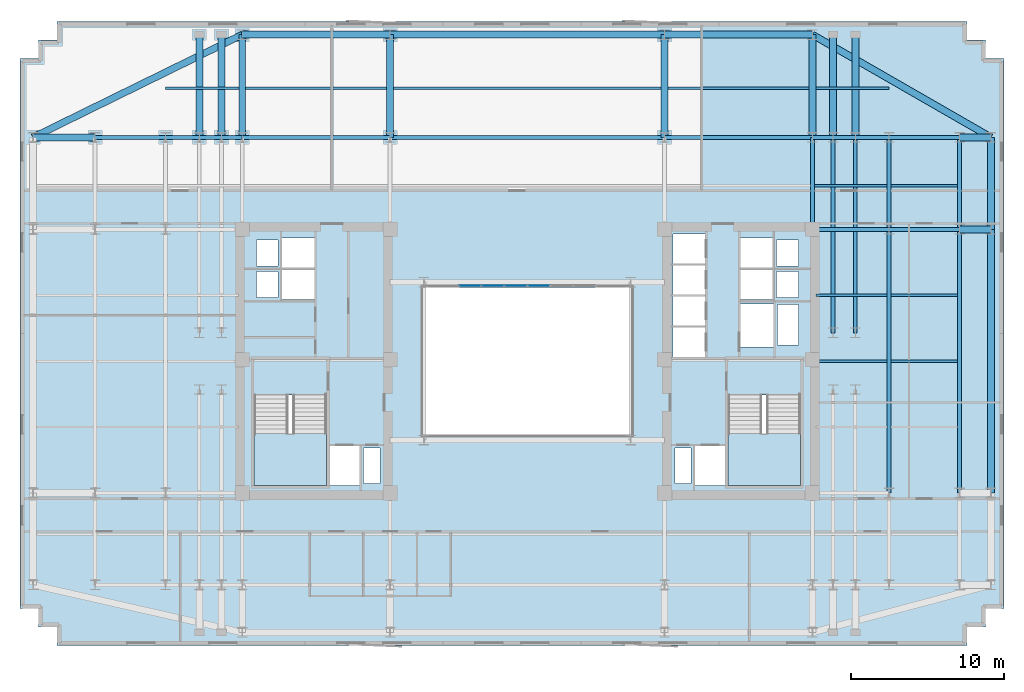
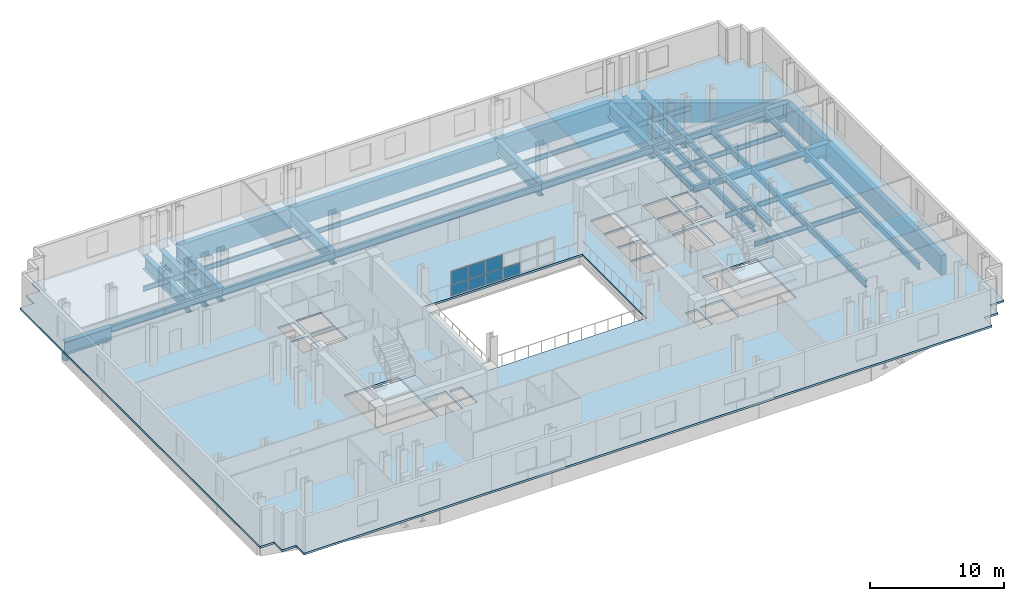
# One storey, part 5 of 12: 45 beams, 7 plates, 3 slabs, 3 elements without a shape of their own.
"""IFC4 building model written with IfcOpenShell, lengths in metres."""

from ifc_helpers import new_model, si_unit, direction, frame, origin, origin_2d, place, context, subcontext, project, spatial, polyline, rectangle, i_section, outline, extrude, material, layer, layer_set, material_profile, profile_set, type_object, element, aggregate, save


model = new_model("IFC4")

# Units and contexts
model_context = context("Model", 3, precision=1e-05, world=origin(), true_north=direction((0.0, 1.0)))
body_context = subcontext(model_context, "Body", "Model", "MODEL_VIEW")
ifc_project = project(units=[si_unit("LENGTHUNIT", "METRE"), si_unit("AREAUNIT", "SQUARE_METRE"), si_unit("VOLUMEUNIT", "CUBIC_METRE"), si_unit("PLANEANGLEUNIT", "RADIAN"), si_unit("MASSUNIT", "GRAM", prefix="KILO")], contexts=[model_context])

# Site, building, storey
site_placement = place(None, origin())
site = spatial("IfcSite", under=ifc_project, at=site_placement, CompositionType="ELEMENT")
building_placement = place(site_placement, origin())
building = spatial("IfcBuilding", under=site, at=building_placement, Name="Velakula Bourse", CompositionType="ELEMENT")
storey_placement = place(building_placement, frame((0.0, 0.0, 120.85009765625)))
storey = spatial("IfcBuildingStorey", under=building, at=storey_placement, Name="L32", CompositionType="ELEMENT", Elevation=120.85009765625)

# Beams
ifc_material_1 = material(Name="Steel IS 2062 Grade 350 (E350)", Category="steel")
ifc_material_profile_1 = material_profile(ifc_material_1, i_section(OverallWidth=0.25, OverallDepth=0.60009765625, WebThickness=0.01123046875, FlangeThickness=0.021240234375, at=origin_2d()), Name="Steel IS 2062 Grade 350 (E350)")
ifc_profile_set_1 = profile_set([ifc_material_profile_1], Name="Steel IS 2062 Grade 350 (E350)")
beam_type_1 = type_object("IfcBeamType", Name="BM-GRD-600M", PredefinedType="BEAM", material=ifc_profile_set_1)
beam_1_placement = place(storey_placement, frame((18.60009765625, 8.60009765625, -0.47998046875), z_axis=(0.0, 1.0, 0.0), x_axis=(-1.0, 0.0, 0.0)))
element("IfcBeam", 1, at=beam_1_placement, inside=storey, type_object=beam_type_1, Name="L32 Fulcrum Grid Girder FLC-EN", PredefinedType="BEAM", context=body_context, shape_type="SweptSolid", body=[
    extrude(i_section(OverallWidth=0.25, OverallDepth=0.60009765625, WebThickness=0.01123046875, FlangeThickness=0.021240234375, at=origin_2d()), origin(), (0.0, 0.0, 1.0), 6.0),
])
beam_2_placement = place(storey_placement, frame((-18.60009765625, 14.60009765625, -0.47998046875), z_axis=(1.0, 0.0, 0.0), x_axis=(0.0, 1.0, 0.0)))
element("IfcBeam", 2, at=beam_2_placement, inside=storey, type_object=beam_type_1, Name="L32 Fulcrum Grid Girder FLC-N1", PredefinedType="BEAM", context=body_context, shape_type="SweptSolid", body=[
    extrude(i_section(OverallWidth=0.25, OverallDepth=0.60009765625, WebThickness=0.01123046875, FlangeThickness=0.021240234375, at=origin_2d()), origin(), (0.0, 0.0, 1.0), 9.650146484375),
])
beam_3_placement = place(storey_placement, frame((-8.949951171875, 14.60009765625, -0.47998046875), z_axis=(1.0, 0.0, 0.0), x_axis=(0.0, 1.0, 0.0)))
element("IfcBeam", 3, at=beam_3_placement, inside=storey, type_object=beam_type_1, Name="L32 Fulcrum Grid Girder FLC-N2", PredefinedType="BEAM", context=body_context, shape_type="SweptSolid", body=[
    extrude(i_section(OverallWidth=0.25, OverallDepth=0.60009765625, WebThickness=0.01123046875, FlangeThickness=0.021240234375, at=origin_2d()), origin(), (0.0, 0.0, 1.0), 17.89990234375),
])
beam_4_placement = place(storey_placement, frame((8.949951171875, 14.60009765625, -0.47998046875), z_axis=(1.0, 0.0, 0.0), x_axis=(0.0, 1.0, 0.0)))
element("IfcBeam", 4, at=beam_4_placement, inside=storey, type_object=beam_type_1, Name="L32 Fulcrum Grid Girder FLC-N3", PredefinedType="BEAM", context=body_context, shape_type="SweptSolid", body=[
    extrude(i_section(OverallWidth=0.25, OverallDepth=0.60009765625, WebThickness=0.01123046875, FlangeThickness=0.021240234375, at=origin_2d()), origin(), (0.0, 0.0, 1.0), 9.650146484375),
])
for number, where, z_axis, x_axis, name in (
    (5, (19.949951171875, 1.85009765625, -0.47998046875), (0.0, 1.0, 0.0), (-1.0, 0.0, 0.0), "L32 Fulcrum Grid Girder FLC-PNE1"),
    (6, (21.39990234375, 1.85009765625, -0.47998046875), (0.0, 1.0, 0.0), (-1.0, 0.0, 0.0), "L32 Fulcrum Grid Girder FLC-PNE2"),
):
    element("IfcBeam", number, at=place(storey_placement, frame(where, z_axis=z_axis, x_axis=x_axis)), inside=storey, type_object=beam_type_1, Name=name, PredefinedType="BEAM", context=body_context, shape_type="SweptSolid", body=[
        extrude(i_section(OverallWidth=0.25, OverallDepth=0.60009765625, WebThickness=0.01123046875, FlangeThickness=0.021240234375, at=origin_2d()), origin(), (0.0, 0.0, 1.0), 12.75),
    ])
for number, where, z_axis, x_axis, name in (
    (7, (-23.60009765625, 14.60009765625, -0.47998046875), (1.0, 0.0, 0.0), (0.0, 1.0, 0.0), "L32 Fulcrum Grid Girder MWG-WN2"),
    (8, (18.60009765625, 8.60009765625, -0.47998046875), (1.0, 0.0, 0.0), (0.0, 1.0, 0.0), "L32 Fulcrum Grid Girder MWG-EN1"),
    (9, (18.60009765625, 14.60009765625, -0.47998046875), (1.0, 0.0, 0.0), (0.0, 1.0, 0.0), "L32 Fulcrum Grid Girder MWG-EN2"),
):
    element("IfcBeam", number, at=place(storey_placement, frame(where, z_axis=z_axis, x_axis=x_axis)), inside=storey, type_object=beam_type_1, Name=name, PredefinedType="BEAM", context=body_context, shape_type="SweptSolid", body=[
        extrude(i_section(OverallWidth=0.25, OverallDepth=0.60009765625, WebThickness=0.01123046875, FlangeThickness=0.021240234375, at=origin_2d()), origin(), (0.0, 0.0, 1.0), 5.0),
    ])
beam_5_placement = place(storey_placement, frame((23.60009765625, -8.60009765625, -0.47998046875), z_axis=(0.0, 1.0, 0.0), x_axis=(-1.0, 0.0, 0.0)))
element("IfcBeam", 10, at=beam_5_placement, inside=storey, type_object=beam_type_1, Name="L32 Fulcrum Grid Girder MWG-ENS2", PredefinedType="BEAM", context=body_context, shape_type="SweptSolid", body=[
    extrude(i_section(OverallWidth=0.25, OverallDepth=0.60009765625, WebThickness=0.01123046875, FlangeThickness=0.021240234375, at=origin_2d()), origin(), (0.0, 0.0, 1.0), 17.2001953125),
])
beam_6_placement = place(storey_placement, frame((23.60009765625, 8.60009765625, -0.47998046875), z_axis=(0.0, 1.0, 0.0), x_axis=(-1.0, 0.0, 0.0)))
element("IfcBeam", 11, at=beam_6_placement, inside=storey, type_object=beam_type_1, Name="L32 Fulcrum Grid Girder MWG-ENS3", PredefinedType="BEAM", context=body_context, shape_type="SweptSolid", body=[
    extrude(i_section(OverallWidth=0.25, OverallDepth=0.60009765625, WebThickness=0.01123046875, FlangeThickness=0.021240234375, at=origin_2d()), origin(), (0.0, 0.0, 1.0), 6.0),
])
for number, where, z_axis, x_axis, name in (
    (12, (-28.199951171875, 14.60009765625, -0.47998046875), (1.0, 0.0, 0.0), (0.0, 1.0, 0.0), "L32 Fulcrum Grid Girder WNG-WN2"),
    (13, (23.60009765625, 8.60009765625, -0.47998046875), (1.0, 0.0, 0.0), (0.0, 1.0, 0.0), "L32 Fulcrum Grid Girder WNG-EN1"),
    (14, (23.60009765625, 14.60009765625, -0.47998046875), (1.0, 0.0, 0.0), (0.0, 1.0, 0.0), "L32 Fulcrum Grid Girder WNG-EN2"),
):
    element("IfcBeam", number, at=place(storey_placement, frame(where, z_axis=z_axis, x_axis=x_axis)), inside=storey, type_object=beam_type_1, Name=name, PredefinedType="BEAM", context=body_context, shape_type="SweptSolid", body=[
        extrude(i_section(OverallWidth=0.25, OverallDepth=0.60009765625, WebThickness=0.01123046875, FlangeThickness=0.021240234375, at=origin_2d()), origin(), (0.0, 0.0, 1.0), 4.599853515625),
    ])
beam_7_placement = place(storey_placement, frame((28.199951171875, -8.60009765625, -0.47998046875), z_axis=(0.0, 1.0, 0.0), x_axis=(-1.0, 0.0, 0.0)))
element("IfcBeam", 15, at=beam_7_placement, inside=storey, type_object=beam_type_1, Name="L32 Fulcrum Grid Girder WNG-ENS2", PredefinedType="BEAM", context=body_context, shape_type="SweptSolid", body=[
    extrude(i_section(OverallWidth=0.25, OverallDepth=0.60009765625, WebThickness=0.01123046875, FlangeThickness=0.021240234375, at=origin_2d()), origin(), (0.0, 0.0, 1.0), 17.2001953125),
])
beam_8_placement = place(storey_placement, frame((28.199951171875, 8.60009765625, -0.47998046875), z_axis=(0.0, 1.0, 0.0), x_axis=(-1.0, 0.0, 0.0)))
element("IfcBeam", 16, at=beam_8_placement, inside=storey, type_object=beam_type_1, Name="L32 Fulcrum Grid Girder WNG-ENS3", PredefinedType="BEAM", context=body_context, shape_type="SweptSolid", body=[
    extrude(i_section(OverallWidth=0.25, OverallDepth=0.60009765625, WebThickness=0.01123046875, FlangeThickness=0.021240234375, at=origin_2d()), origin(), (0.0, 0.0, 1.0), 6.0),
])
ifc_material_profile_2 = material_profile(ifc_material_1, i_section(OverallWidth=0.14990234375, OverallDepth=0.449951171875, WebThickness=0.009521484375, FlangeThickness=0.017333984375, at=origin_2d()), Name="Steel IS 2062 Grade 350 (E350)")
ifc_profile_set_2 = profile_set([ifc_material_profile_2], Name="Steel IS 2062 Grade 350 (E350)")
beam_type_2 = type_object("IfcBeamType", Name="JST-TWR-450", PredefinedType="JOIST", material=ifc_profile_set_2)
beam_9_placement = place(storey_placement, frame((18.72509765625, 11.449951171875, -0.405029296875), z_axis=(1.0, 0.0, 0.0), x_axis=(0.0, 1.0, 0.0)))
element("IfcBeam", 17, at=beam_9_placement, inside=storey, type_object=beam_type_2, Name="L32 Trading Floor Composite Joist 15", PredefinedType="JOIST", context=body_context, shape_type="SweptSolid", body=[
    extrude(i_section(OverallWidth=0.14990234375, OverallDepth=0.449951171875, WebThickness=0.009521484375, FlangeThickness=0.017333984375, at=origin_2d()), origin(), (0.0, 0.0, 1.0), 4.75),
])
beam_10_placement = place(storey_placement, frame((23.72509765625, 11.449951171875, -0.405029296875), z_axis=(1.0, 0.0, 0.0), x_axis=(0.0, 1.0, 0.0)))
element("IfcBeam", 18, at=beam_10_placement, inside=storey, type_object=beam_type_2, Name="L32 Trading Floor Composite Joist 16", PredefinedType="JOIST", context=body_context, shape_type="SweptSolid", body=[
    extrude(i_section(OverallWidth=0.14990234375, OverallDepth=0.449951171875, WebThickness=0.009521484375, FlangeThickness=0.017333984375, at=origin_2d()), origin(), (0.0, 0.0, 1.0), 4.349853515625),
])
beam_11_placement = place(storey_placement, frame((-23.60009765625, 17.800048828125, -0.405029296875), z_axis=(1.0, 0.0, 0.0), x_axis=(0.0, 1.0, 0.0)))
element("IfcBeam", 19, at=beam_11_placement, inside=storey, type_object=beam_type_2, Name="L32 Trading Floor Composite Joist 17", PredefinedType="JOIST", context=body_context, shape_type="SweptSolid", body=[
    extrude(i_section(OverallWidth=0.14990234375, OverallDepth=0.449951171875, WebThickness=0.009521484375, FlangeThickness=0.017333984375, at=origin_2d()), origin(), (0.0, 0.0, 1.0), 4.775146484375),
])
beam_12_placement = place(storey_placement, frame((-18.375, 17.800048828125, -0.405029296875), z_axis=(1.0, 0.0, 0.0), x_axis=(0.0, 1.0, 0.0)))
element("IfcBeam", 20, at=beam_12_placement, inside=storey, type_object=beam_type_2, Name="L32 Trading Floor Composite Joist 18", PredefinedType="JOIST", context=body_context, shape_type="SweptSolid", body=[
    extrude(i_section(OverallWidth=0.14990234375, OverallDepth=0.449951171875, WebThickness=0.009521484375, FlangeThickness=0.017333984375, at=origin_2d()), origin(), (0.0, 0.0, 1.0), 9.199951171875),
])
beam_13_placement = place(storey_placement, frame((-8.72509765625, 17.800048828125, -0.405029296875), z_axis=(1.0, 0.0, 0.0), x_axis=(0.0, 1.0, 0.0)))
element("IfcBeam", 21, at=beam_13_placement, inside=storey, type_object=beam_type_2, Name="L32 Trading Floor Composite Joist 19", PredefinedType="JOIST", context=body_context, shape_type="SweptSolid", body=[
    extrude(i_section(OverallWidth=0.14990234375, OverallDepth=0.449951171875, WebThickness=0.009521484375, FlangeThickness=0.017333984375, at=origin_2d()), origin(), (0.0, 0.0, 1.0), 17.4501953125),
])
beam_14_placement = place(storey_placement, frame((9.175048828125, 17.800048828125, -0.405029296875), z_axis=(1.0, 0.0, 0.0), x_axis=(0.0, 1.0, 0.0)))
element("IfcBeam", 22, at=beam_14_placement, inside=storey, type_object=beam_type_2, Name="L32 Trading Floor Composite Joist 20", PredefinedType="JOIST", context=body_context, shape_type="SweptSolid", body=[
    extrude(i_section(OverallWidth=0.14990234375, OverallDepth=0.449951171875, WebThickness=0.009521484375, FlangeThickness=0.017333984375, at=origin_2d()), origin(), (0.0, 0.0, 1.0), 9.199951171875),
])
beam_15_placement = place(storey_placement, frame((18.824951171875, 17.800048828125, -0.405029296875), z_axis=(1.0, 0.0, 0.0), x_axis=(0.0, 1.0, 0.0)))
element("IfcBeam", 23, at=beam_15_placement, inside=storey, type_object=beam_type_2, Name="L32 Trading Floor Composite Joist 21", PredefinedType="JOIST", context=body_context, shape_type="SweptSolid", body=[
    extrude(i_section(OverallWidth=0.14990234375, OverallDepth=0.449951171875, WebThickness=0.009521484375, FlangeThickness=0.017333984375, at=origin_2d()), origin(), (0.0, 0.0, 1.0), 4.775146484375),
])
beam_16_placement = place(storey_placement, frame((18.85009765625, 0.0, -0.405029296875), z_axis=(1.0, 0.0, 0.0), x_axis=(0.0, 1.0, 0.0)))
element("IfcBeam", 24, at=beam_16_placement, inside=storey, type_object=beam_type_2, Name="L32 Trading Floor Composite Joist 33", PredefinedType="JOIST", context=body_context, shape_type="SweptSolid", body=[
    extrude(i_section(OverallWidth=0.14990234375, OverallDepth=0.449951171875, WebThickness=0.009521484375, FlangeThickness=0.017333984375, at=origin_2d()), origin(), (0.0, 0.0, 1.0), 4.625),
])
beam_17_placement = place(storey_placement, frame((23.72509765625, 0.0, -0.405029296875), z_axis=(1.0, 0.0, 0.0), x_axis=(0.0, 1.0, 0.0)))
element("IfcBeam", 25, at=beam_17_placement, inside=storey, type_object=beam_type_2, Name="L32 Trading Floor Composite Joist 34", PredefinedType="JOIST", context=body_context, shape_type="SweptSolid", body=[
    extrude(i_section(OverallWidth=0.14990234375, OverallDepth=0.449951171875, WebThickness=0.009521484375, FlangeThickness=0.017333984375, at=origin_2d()), origin(), (0.0, 0.0, 1.0), 4.349853515625),
])
beam_18_placement = place(storey_placement, frame((18.85009765625, 4.300048828125, -0.405029296875), z_axis=(1.0, 0.0, 0.0), x_axis=(0.0, 1.0, 0.0)))
element("IfcBeam", 26, at=beam_18_placement, inside=storey, type_object=beam_type_2, Name="L32 Trading Floor Composite Joist 38", PredefinedType="JOIST", context=body_context, shape_type="SweptSolid", body=[
    extrude(i_section(OverallWidth=0.14990234375, OverallDepth=0.449951171875, WebThickness=0.009521484375, FlangeThickness=0.017333984375, at=origin_2d()), origin(), (0.0, 0.0, 1.0), 4.625),
])
beam_19_placement = place(storey_placement, frame((23.72509765625, 4.300048828125, -0.405029296875), z_axis=(1.0, 0.0, 0.0), x_axis=(0.0, 1.0, 0.0)))
element("IfcBeam", 27, at=beam_19_placement, inside=storey, type_object=beam_type_2, Name="L32 Trading Floor Composite Joist 39", PredefinedType="JOIST", context=body_context, shape_type="SweptSolid", body=[
    extrude(i_section(OverallWidth=0.14990234375, OverallDepth=0.449951171875, WebThickness=0.009521484375, FlangeThickness=0.017333984375, at=origin_2d()), origin(), (0.0, 0.0, 1.0), 4.349853515625),
])
ifc_material_2 = material(Name="Concrete M50 (fck 50 MPa)", Category="concrete")
ifc_material_profile_3 = material_profile(ifc_material_2, rectangle(XDim=0.449951171875, YDim=1.800048828125, at=origin_2d()), Name="Concrete M50 (fck 50 MPa)")
ifc_profile_set_3 = profile_set([ifc_material_profile_3], Name="Concrete M50 (fck 50 MPa)")
beam_type_3 = type_object("IfcBeamType", Name="SPN-TRF-1800", PredefinedType="SPANDREL", material=ifc_profile_set_3)
beam_20_placement = place(storey_placement, frame((-18.60009765625, 21.300048828125, -1.080078125), z_axis=(1.0, 0.0, 0.0), x_axis=(0.0, 1.0, 0.0)))
element("IfcBeam", 28, at=beam_20_placement, inside=storey, type_object=beam_type_3, Name="L32 Brick-Faced Precast Spandrel N1-N2", PredefinedType="SPANDREL", context=body_context, shape_type="SweptSolid", body=[
    extrude(rectangle(XDim=0.449951171875, YDim=1.800048828125, at=origin_2d()), origin(), (0.0, 0.0, 1.0), 9.650146484375),
])
beam_21_placement = place(storey_placement, frame((-8.949951171875, 21.300048828125, -1.080078125), z_axis=(1.0, 0.0, 0.0), x_axis=(0.0, 1.0, 0.0)))
element("IfcBeam", 29, at=beam_21_placement, inside=storey, type_object=beam_type_3, Name="L32 Brick-Faced Precast Spandrel N2-N3", PredefinedType="SPANDREL", context=body_context, shape_type="SweptSolid", body=[
    extrude(rectangle(XDim=0.449951171875, YDim=1.800048828125, at=origin_2d()), origin(), (0.0, 0.0, 1.0), 17.89990234375),
])
beam_22_placement = place(storey_placement, frame((8.949951171875, 21.300048828125, -1.080078125), z_axis=(1.0, 0.0, 0.0), x_axis=(0.0, 1.0, 0.0)))
element("IfcBeam", 30, at=beam_22_placement, inside=storey, type_object=beam_type_3, Name="L32 Brick-Faced Precast Spandrel N3-N4", PredefinedType="SPANDREL", context=body_context, shape_type="SweptSolid", body=[
    extrude(rectangle(XDim=0.449951171875, YDim=1.800048828125, at=origin_2d()), origin(), (0.0, 0.0, 1.0), 9.650146484375),
])
beam_23_placement = place(storey_placement, frame((30.25, -8.60009765625, -1.080078125), z_axis=(0.0, 1.0, 0.0), x_axis=(-1.0, 0.0, 0.0)))
element("IfcBeam", 31, at=beam_23_placement, inside=storey, type_object=beam_type_3, Name="L32 Brick-Faced Precast Spandrel E2-E3", PredefinedType="SPANDREL", context=body_context, shape_type="SweptSolid", body=[
    extrude(rectangle(XDim=0.449951171875, YDim=1.800048828125, at=origin_2d()), origin(), (0.0, 0.0, 1.0), 17.2001953125),
])
beam_24_placement = place(storey_placement, frame((30.25, 8.60009765625, -1.080078125), z_axis=(0.0, 1.0, 0.0), x_axis=(-1.0, 0.0, 0.0)))
element("IfcBeam", 32, at=beam_24_placement, inside=storey, type_object=beam_type_3, Name="L32 Brick-Faced Precast Spandrel E3-E4", PredefinedType="SPANDREL", context=body_context, shape_type="SweptSolid", body=[
    extrude(rectangle(XDim=0.449951171875, YDim=1.800048828125, at=origin_2d()), origin(), (0.0, 0.0, 1.0), 6.0),
])
beam_25_placement = place(storey_placement, frame((30.25, 14.60009765625, -1.080078125), z_axis=(-0.866865871572, 0.498541433286, 0.0), x_axis=(-0.498541433286, -0.866865871572, 0.0)))
element("IfcBeam", 33, at=beam_25_placement, inside=storey, type_object=beam_type_3, Name="L32 Brick-Faced Precast Spandrel E4-N4", PredefinedType="SPANDREL", context=body_context, shape_type="SweptSolid", body=[
    extrude(rectangle(XDim=0.449951171875, YDim=1.800048828125, at=origin_2d()), origin(), (0.0, 0.0, 1.0), 13.439208984375),
])
beam_26_placement = place(storey_placement, frame((-18.60009765625, 21.300048828125, -1.080078125), z_axis=(-0.897691282679, -0.440624966385, 0.0), x_axis=(0.440624966385, -0.897691282679, 0.0)))
element("IfcBeam", 34, at=beam_26_placement, inside=storey, type_object=beam_type_3, Name="L32 Brick-Faced Precast Spandrel N1-W4", PredefinedType="SPANDREL", context=body_context, shape_type="SweptSolid", body=[
    extrude(rectangle(XDim=0.449951171875, YDim=1.800048828125, at=origin_2d()), origin(), (0.0, 0.0, 1.0), 15.20556640625),
])
ifc_material_3 = material(Name="Steel IS 2062 Grade 450 (E450)", Category="steel")
ifc_material_profile_4 = material_profile(ifc_material_3, i_section(OverallWidth=0.449951171875, OverallDepth=1.199951171875, WebThickness=0.02587890625, FlangeThickness=0.0400390625, at=origin_2d()), Name="Steel IS 2062 Grade 450 (E450)")
ifc_profile_set_4 = profile_set([ifc_material_profile_4], Name="Steel IS 2062 Grade 450 (E450)")
beam_type_4 = type_object("IfcBeamType", Name="TB-CANT-1200", PredefinedType="BEAM", material=ifc_profile_set_4)
for number, where, z_axis, x_axis, name in (
    (35, (-18.60009765625, 14.60009765625, -0.780029296875), (0.0, 1.0, 0.0), (-1.0, 0.0, 0.0), "L32 Perimeter Tie Girder N1"),
    (36, (-8.949951171875, 14.60009765625, -0.780029296875), (0.0, 1.0, 0.0), (-1.0, 0.0, 0.0), "L32 Perimeter Tie Girder N2"),
    (37, (8.949951171875, 14.60009765625, -0.780029296875), (0.0, 1.0, 0.0), (-1.0, 0.0, 0.0), "L32 Perimeter Tie Girder N3"),
    (38, (18.60009765625, 14.60009765625, -0.780029296875), (0.0, 1.0, 0.0), (-1.0, 0.0, 0.0), "L32 Perimeter Tie Girder N4"),
):
    element("IfcBeam", number, at=place(storey_placement, frame(where, z_axis=z_axis, x_axis=x_axis)), inside=storey, type_object=beam_type_4, Name=name, PredefinedType="BEAM", context=body_context, shape_type="SweptSolid", body=[
        extrude(i_section(OverallWidth=0.449951171875, OverallDepth=1.199951171875, WebThickness=0.02587890625, FlangeThickness=0.0400390625, at=origin_2d()), origin(), (0.0, 0.0, 1.0), 6.699951171875),
    ])
beam_27_placement = place(storey_placement, frame((-28.199951171875, 14.60009765625, -0.780029296875), z_axis=(-1.0, 0.0, 0.0), x_axis=(0.0, -1.0, 0.0)))
element("IfcBeam", 39, at=beam_27_placement, inside=storey, type_object=beam_type_4, Name="L32 Perimeter Tie Girder W4", PredefinedType="BEAM", context=body_context, shape_type="SweptSolid", body=[
    extrude(i_section(OverallWidth=0.449951171875, OverallDepth=1.199951171875, WebThickness=0.02587890625, FlangeThickness=0.0400390625, at=origin_2d()), origin(), (0.0, 0.0, 1.0), 4.050048828125),
])
for number, where, z_axis, x_axis, name in (
    (40, (28.199951171875, 8.60009765625, -0.780029296875), (1.0, 0.0, 0.0), (0.0, 1.0, 0.0), "L32 Perimeter Tie Girder E3"),
    (41, (28.199951171875, 14.60009765625, -0.780029296875), (1.0, 0.0, 0.0), (0.0, 1.0, 0.0), "L32 Perimeter Tie Girder E4"),
):
    element("IfcBeam", number, at=place(storey_placement, frame(where, z_axis=z_axis, x_axis=x_axis)), inside=storey, type_object=beam_type_4, Name=name, PredefinedType="BEAM", context=body_context, shape_type="SweptSolid", body=[
        extrude(i_section(OverallWidth=0.449951171875, OverallDepth=1.199951171875, WebThickness=0.02587890625, FlangeThickness=0.0400390625, at=origin_2d()), origin(), (0.0, 0.0, 1.0), 2.050048828125),
    ])
for number, where, z_axis, x_axis, name in (
    (42, (-21.39990234375, 14.60009765625, -0.780029296875), (0.0, 1.0, 0.0), (-1.0, 0.0, 0.0), "L32 Perimeter Tie Girder P05"),
    (43, (-19.949951171875, 14.60009765625, -0.780029296875), (0.0, 1.0, 0.0), (-1.0, 0.0, 0.0), "L32 Perimeter Tie Girder P06"),
    (44, (19.949951171875, 14.60009765625, -0.780029296875), (0.0, 1.0, 0.0), (-1.0, 0.0, 0.0), "L32 Perimeter Tie Girder P07"),
    (45, (21.39990234375, 14.60009765625, -0.780029296875), (0.0, 1.0, 0.0), (-1.0, 0.0, 0.0), "L32 Perimeter Tie Girder P08"),
):
    element("IfcBeam", number, at=place(storey_placement, frame(where, z_axis=z_axis, x_axis=x_axis)), inside=storey, type_object=beam_type_4, Name=name, PredefinedType="BEAM", context=body_context, shape_type="SweptSolid", body=[
        extrude(i_section(OverallWidth=0.449951171875, OverallDepth=1.199951171875, WebThickness=0.02587890625, FlangeThickness=0.0400390625, at=origin_2d()), origin(), (0.0, 0.0, 1.0), 6.699951171875),
    ])

# Curtain wall, plates
ifc_material_4 = material(Name="Anodised bronze architectural aluminium", Category="aluminium")
ifc_layer_1 = layer(ifc_material_4, 0.14990234375, Name="Anodised bronze architectural aluminium", Category="aluminium")
ifc_layer_set_1 = layer_set([ifc_layer_1], Name="Anodised bronze architectural aluminium")
curtain_wall_type = type_object("IfcCurtainWallType", Name="CW-AT1", PredefinedType="NOTDEFINED", material=ifc_layer_set_1)
curtain_wall_placement = place(storey_placement, origin())
curtain_wall = element("IfcCurtainWall", 46, at=curtain_wall_placement, inside=storey, type_object=curtain_wall_type, Name="L32 Central Trading Atrium Fire-Rated Glazed Screen", PredefinedType="NOTDEFINED")
ifc_material_5 = material(Name="Fire-resistant EI 120 laminated glazing", Category="glass")
ifc_layer_2 = layer(ifc_material_5, 0.02392578125, Name="Fire-resistant EI 120 laminated glazing", Category="glass")
ifc_layer_set_2 = layer_set([ifc_layer_2], Name="Fire-resistant EI 120 laminated glazing")
plate_type = type_object("IfcPlateType", Name="PNL-CW-AT1", PredefinedType="CURTAIN_PANEL", material=ifc_layer_set_2)
plate_1_placement = place(storey_placement, frame((-3.735107421875, 4.919921875, 0.06005859375), z_axis=(0.0, 0.0, 1.0), x_axis=(1.0, 0.0, 0.0)))
plate_1 = element("IfcPlate", 47, at=plate_1_placement, type_object=plate_type, Name="CW-AT1 panel 1.1", PredefinedType="CURTAIN_PANEL", context=body_context, shape_type="SweptSolid", body=[
    extrude(rectangle(XDim=1.409912109375, YDim=0.028076171875, at=origin_2d()), origin(), (0.0, 0.0, 1.0), 0.965087890625),
])
plate_2_placement = place(storey_placement, frame((-3.735107421875, 4.919921875, 1.085205078125), z_axis=(0.0, 0.0, 1.0), x_axis=(1.0, 0.0, 0.0)))
plate_2 = element("IfcPlate", 48, at=plate_2_placement, type_object=plate_type, Name="CW-AT1 panel 1.2", PredefinedType="CURTAIN_PANEL", context=body_context, shape_type="SweptSolid", body=[
    extrude(rectangle(XDim=1.409912109375, YDim=0.028076171875, at=origin_2d()), origin(), (0.0, 0.0, 1.0), 1.19970703125),
])
plate_3_placement = place(storey_placement, frame((-2.25, 4.919921875, 0.06005859375), z_axis=(0.0, 0.0, 1.0), x_axis=(1.0, 0.0, 0.0)))
plate_3 = element("IfcPlate", 49, at=plate_3_placement, type_object=plate_type, Name="CW-AT1 panel 2.1", PredefinedType="CURTAIN_PANEL", context=body_context, shape_type="SweptSolid", body=[
    extrude(rectangle(XDim=1.43994140625, YDim=0.028076171875, at=origin_2d()), origin(), (0.0, 0.0, 1.0), 0.965087890625),
])
plate_4_placement = place(storey_placement, frame((-2.25, 4.919921875, 1.085205078125), z_axis=(0.0, 0.0, 1.0), x_axis=(1.0, 0.0, 0.0)))
plate_4 = element("IfcPlate", 50, at=plate_4_placement, type_object=plate_type, Name="CW-AT1 panel 2.2", PredefinedType="CURTAIN_PANEL", context=body_context, shape_type="SweptSolid", body=[
    extrude(rectangle(XDim=1.43994140625, YDim=0.028076171875, at=origin_2d()), origin(), (0.0, 0.0, 1.0), 1.19970703125),
])
plate_5_placement = place(storey_placement, frame((-0.75, 4.919921875, 0.06005859375), z_axis=(0.0, 0.0, 1.0), x_axis=(1.0, 0.0, 0.0)))
plate_5 = element("IfcPlate", 51, at=plate_5_placement, type_object=plate_type, Name="CW-AT1 panel 3.1", PredefinedType="CURTAIN_PANEL", context=body_context, shape_type="SweptSolid", body=[
    extrude(rectangle(XDim=1.43994140625, YDim=0.028076171875, at=origin_2d()), origin(), (0.0, 0.0, 1.0), 0.965087890625),
])
plate_6_placement = place(storey_placement, frame((-0.75, 4.919921875, 1.085205078125), z_axis=(0.0, 0.0, 1.0), x_axis=(1.0, 0.0, 0.0)))
plate_6 = element("IfcPlate", 52, at=plate_6_placement, type_object=plate_type, Name="CW-AT1 panel 3.2", PredefinedType="CURTAIN_PANEL", context=body_context, shape_type="SweptSolid", body=[
    extrude(rectangle(XDim=1.43994140625, YDim=0.028076171875, at=origin_2d()), origin(), (0.0, 0.0, 1.0), 1.19970703125),
])
plate_7_placement = place(storey_placement, frame((0.75, 4.919921875, 0.06005859375), z_axis=(0.0, 0.0, 1.0), x_axis=(1.0, 0.0, 0.0)))
plate_7 = element("IfcPlate", 53, at=plate_7_placement, type_object=plate_type, Name="CW-AT1 panel 4.1", PredefinedType="CURTAIN_PANEL", context=body_context, shape_type="SweptSolid", body=[
    extrude(rectangle(XDim=1.43994140625, YDim=0.028076171875, at=origin_2d()), origin(), (0.0, 0.0, 1.0), 0.965087890625),
])
aggregate(curtain_wall, [plate_1, plate_2, plate_3, plate_4, plate_5, plate_6, plate_7])

# Stair, slab
ifc_material_6 = material(Name="Concrete M45 (fck 45 MPa)", Category="concrete")
stair_type = type_object("IfcStairType", Name="STR-DOG-390", PredefinedType="HALF_TURN_STAIR", material=ifc_material_6)
stair_1_placement = place(storey_placement, origin())
stair_1 = element("IfcStair", 54, at=stair_1_placement, inside=storey, type_object=stair_type, Name="L32 West Core Exit Stair ST-W1", PredefinedType="HALF_TURN_STAIR")
ifc_layer_3 = layer(ifc_material_6, 0.199951171875, Name="Concrete M45 (fck 45 MPa)", Category="concrete")
ifc_layer_set_3 = layer_set([ifc_layer_3], Name="Concrete M45 (fck 45 MPa)")
slab_type_1 = type_object("IfcSlabType", Name="SLB-STAIR-LND-200", PredefinedType="LANDING", material=ifc_layer_set_3)
slab_1_placement = place(storey_placement, frame((0.0, 0.0, 1.52490234375)))
slab_1 = element("IfcSlab", 55, at=slab_1_placement, type_object=slab_type_1, Name="ST-W1 landing 1", PredefinedType="LANDING", context=body_context, shape_type="SweptSolid", body=[
    extrude(outline(polyline([(-17.820068359375, -4.719970703125), (-17.820068359375, -8.10009765625), (-13.10009765625, -8.10009765625), (-13.10009765625, -4.719970703125), (-17.820068359375, -4.719970703125)])), origin(), (0.0, 0.0, 1.0), 0.199951171875),
])
aggregate(stair_1, [slab_1])

stair_2_placement = place(storey_placement, origin())
stair_2 = element("IfcStair", 56, at=stair_2_placement, inside=storey, type_object=stair_type, Name="L32 East Core Exit Stair ST-E1", PredefinedType="HALF_TURN_STAIR")
slab_2_placement = place(storey_placement, frame((0.0, 0.0, 1.52490234375)))
slab_2 = element("IfcSlab", 57, at=slab_2_placement, type_object=slab_type_1, Name="ST-E1 landing 1", PredefinedType="LANDING", context=body_context, shape_type="SweptSolid", body=[
    extrude(outline(polyline([(13.10009765625, -4.719970703125), (13.10009765625, -8.10009765625), (17.820068359375, -8.10009765625), (17.820068359375, -4.719970703125), (13.10009765625, -4.719970703125)])), origin(), (0.0, 0.0, 1.0), 0.199951171875),
])
aggregate(stair_2, [slab_2])

# Slab
ifc_layer_4 = layer(ifc_material_2, 0.179931640625, Name="Concrete M50 (fck 50 MPa)", Category="concrete")
ifc_layer_set_4 = layer_set([ifc_layer_4], Name="Concrete M50 (fck 50 MPa)")
slab_type_2 = type_object("IfcSlabType", Name="SLB-TWR-180", PredefinedType="FLOOR", material=ifc_layer_set_4)
slab_3_placement = place(storey_placement, frame((0.0, 0.0, -0.18017578125)))
element("IfcSlab", 58, at=slab_3_placement, inside=storey, type_object=slab_type_2, Name="L32 Suspended Structural Floor Slab", PredefinedType="FLOOR", context=body_context, shape_type="SweptSolid", body=[
    extrude(outline(polyline([(-30.699951171875, -18.550048828125), (28.699951171875, -18.550048828125), (28.699951171875, -17.35009765625), (29.89990234375, -17.35009765625), (29.89990234375, -16.14990234375), (31.10009765625, -16.14990234375), (31.10009765625, 19.75), (29.89990234375, 19.75), (29.89990234375, 20.949951171875), (28.699951171875, 20.949951171875), (28.699951171875, 22.14990234375), (-30.699951171875, 22.14990234375), (-30.699951171875, 20.949951171875), (-31.89990234375, 20.949951171875), (-31.89990234375, 19.75), (-33.10009765625, 19.75), (-33.10009765625, -16.14990234375), (-31.89990234375, -16.14990234375), (-31.89990234375, -17.35009765625), (-30.699951171875, -17.35009765625), (-30.699951171875, -18.550048828125)]), holes=[polyline([(-17.820068359375, -8.10009765625), (-13.10009765625, -8.10009765625), (-13.10009765625, -2.199951171875), (-17.820068359375, -2.199951171875), (-17.820068359375, -8.10009765625)]), polyline([(13.10009765625, -8.10009765625), (17.820068359375, -8.10009765625), (17.820068359375, -2.199951171875), (13.10009765625, -2.199951171875), (13.10009765625, -8.10009765625)]), polyline([(-12.89990234375, -8.10009765625), (-10.949951171875, -8.10009765625), (-10.949951171875, -5.550048828125), (-12.89990234375, -5.550048828125), (-12.89990234375, -8.10009765625)]), polyline([(10.949951171875, -8.10009765625), (12.89990234375, -8.10009765625), (12.89990234375, -5.550048828125), (10.949951171875, -5.550048828125), (10.949951171875, -8.10009765625)]), polyline([(13.89990234375, 0.919921875), (16.050048828125, 0.919921875), (16.050048828125, 3.719970703125), (13.89990234375, 3.719970703125), (13.89990234375, 0.919921875)]), polyline([(-10.679931640625, -7.97998046875), (-9.6201171875, -7.97998046875), (-9.6201171875, -5.669921875), (-10.679931640625, -5.669921875), (-10.679931640625, -7.97998046875)]), polyline([(-17.679931640625, 4.139892578125), (-16.27001953125, 4.139892578125), (-16.27001953125, 5.85009765625), (-17.679931640625, 5.85009765625), (-17.679931640625, 4.139892578125)]), polyline([(-17.679931640625, 6.2099609375), (-16.27001953125, 6.2099609375), (-16.27001953125, 7.919921875), (-17.679931640625, 7.919921875), (-17.679931640625, 6.2099609375)]), polyline([(9.6201171875, -7.97998046875), (10.679931640625, -7.97998046875), (10.679931640625, -5.669921875), (9.6201171875, -5.669921875), (9.6201171875, -7.97998046875)]), polyline([(16.27001953125, 4.139892578125), (17.679931640625, 4.139892578125), (17.679931640625, 5.85009765625), (16.27001953125, 5.85009765625), (16.27001953125, 4.139892578125)]), polyline([(16.27001953125, 6.2099609375), (17.679931640625, 6.2099609375), (17.679931640625, 7.919921875), (16.27001953125, 7.919921875), (16.27001953125, 6.2099609375)]), polyline([(16.320068359375, 1.0400390625), (17.679931640625, 1.0400390625), (17.679931640625, 3.699951171875), (16.320068359375, 3.699951171875), (16.320068359375, 1.0400390625)]), polyline([(9.5, 0.280029296875), (11.60009765625, 0.280029296875), (11.60009765625, 2.199951171875), (9.5, 2.199951171875), (9.5, 0.280029296875)]), polyline([(9.5, 2.31005859375), (11.60009765625, 2.31005859375), (11.60009765625, 4.22998046875), (9.5, 4.22998046875), (9.5, 2.31005859375)]), polyline([(9.5, 4.340087890625), (11.60009765625, 4.340087890625), (11.60009765625, 6.260009765625), (9.5, 6.260009765625), (9.5, 4.340087890625)]), polyline([(9.5, 6.3701171875), (11.60009765625, 6.3701171875), (11.60009765625, 8.2900390625), (9.5, 8.2900390625), (9.5, 6.3701171875)]), polyline([(-16.0, 4.02001953125), (-13.89990234375, 4.02001953125), (-13.89990234375, 5.969970703125), (-16.0, 5.969970703125), (-16.0, 4.02001953125)]), polyline([(-16.0, 6.090087890625), (-13.89990234375, 6.090087890625), (-13.89990234375, 8.0400390625), (-16.0, 8.0400390625), (-16.0, 6.090087890625)]), polyline([(13.89990234375, 4.02001953125), (16.0, 4.02001953125), (16.0, 5.969970703125), (13.89990234375, 5.969970703125), (13.89990234375, 4.02001953125)]), polyline([(13.89990234375, 6.090087890625), (16.0, 6.090087890625), (16.0, 8.0400390625), (13.89990234375, 8.0400390625), (13.89990234375, 6.090087890625)]), polyline([(-6.800048828125, -4.800048828125), (6.800048828125, -4.800048828125), (6.800048828125, 4.800048828125), (-6.800048828125, 4.800048828125), (-6.800048828125, -4.800048828125)])]), origin(), (0.0, 0.0, 1.0), 0.18017578125),
])

save(model, "model.ifc")
